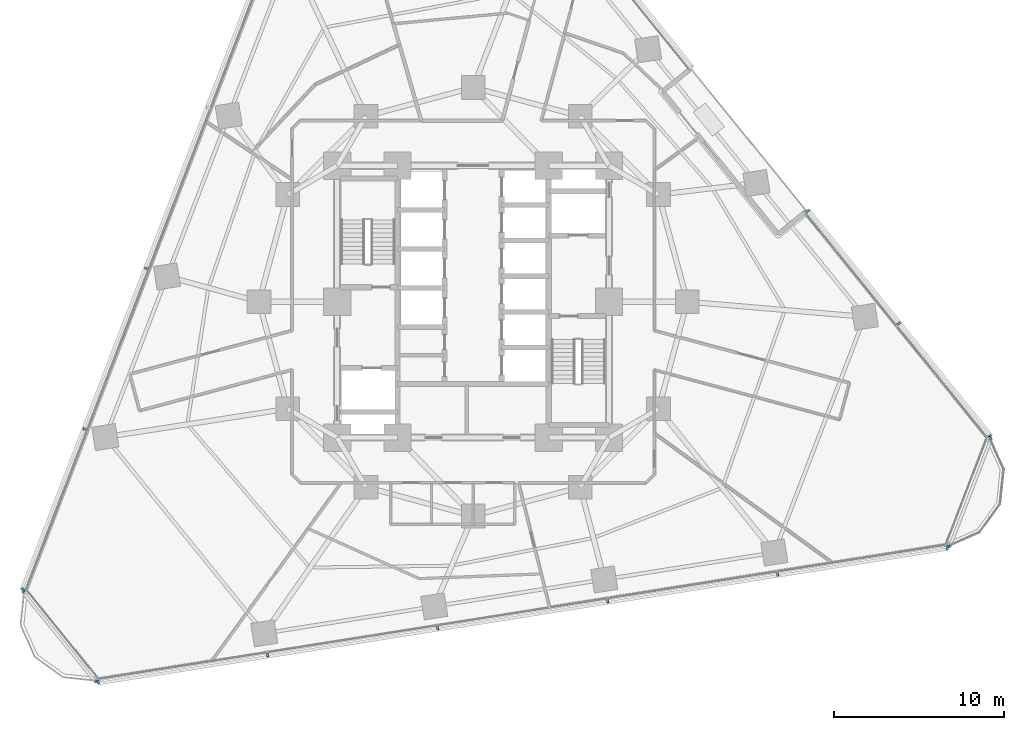
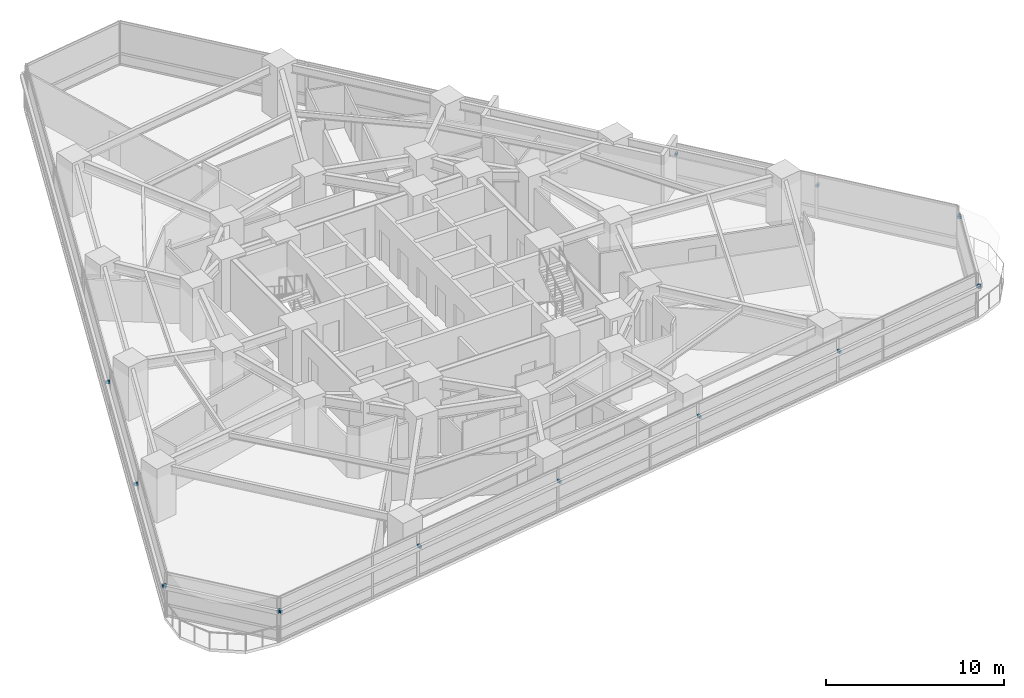
# One storey, part 10 of 14: 16 discrete accessories.
"""IFC4 building model written with IfcOpenShell, lengths in metres."""

from ifc_helpers import new_model, si_unit, direction, frame, origin, origin_2d, place, context, subcontext, project, spatial, rectangle, extrude, material, type_object, element, save


model = new_model("IFC4")

# Units and contexts
model_context = context("Model", 3, precision=1e-05, world=origin(), true_north=direction((0.0, 1.0)))
body_context = subcontext(model_context, "Body", "Model", "MODEL_VIEW")
ifc_project = project(units=[si_unit("LENGTHUNIT", "METRE"), si_unit("AREAUNIT", "SQUARE_METRE"), si_unit("VOLUMEUNIT", "CUBIC_METRE"), si_unit("PLANEANGLEUNIT", "RADIAN"), si_unit("MASSUNIT", "GRAM", prefix="KILO")], contexts=[model_context])

# Site, building, storey
site_placement = place(None, origin())
site = spatial("IfcSite", under=ifc_project, at=site_placement, CompositionType="ELEMENT")
building_placement = place(site_placement, origin())
building = spatial("IfcBuilding", under=site, at=building_placement, Name="Terralouvre Media Tower", CompositionType="ELEMENT")
storey_placement = place(building_placement, frame((0.0, 0.0, 63.0)))
storey = spatial("IfcBuildingStorey", under=building, at=storey_placement, Name="L15", CompositionType="ELEMENT", Elevation=63.0)

# Discrete accessories
ifc_material = material(Name="Anodised extruded aluminium 6063-T6", Category="aluminium")
discrete_accessory_type = type_object("IfcDiscreteAccessoryType", Name="Mullion Stand-Off Baguette Fixing Bracket BK-01", PredefinedType="BRACKET", material=ifc_material)
for number, where, z_axis, x_axis, name in (
    (1, (-22.055419921875, -22.364013671875, 2.07421875), (0.0, 0.0, 1.0), (0.987688340934, 0.156434462903, 0.0), "CW-L15-F0 Baguette Outrigger Bracket 1.01"),
    (2, (-12.08935546875, -20.78564453125, 2.07421875), (0.0, 0.0, 1.0), (0.987688340934, 0.156434462903, 0.0), "CW-L15-F0 Baguette Outrigger Bracket 1.02"),
    (3, (-2.0859375, -19.201171875, 2.07421875), (0.0, 0.0, 1.0), (0.987688340934, 0.156434462903, 0.0), "CW-L15-F0 Baguette Outrigger Bracket 1.03"),
    (4, (7.91748046875, -17.616943359375, 2.07421875), (0.0, 0.0, 1.0), (0.987688340934, 0.156434462903, 0.0), "CW-L15-F0 Baguette Outrigger Bracket 1.04"),
    (5, (17.920654296875, -16.032470703125, 2.07421875), (0.0, 0.0, 1.0), (0.987688340934, 0.156434462903, 0.0), "CW-L15-F0 Baguette Outrigger Bracket 1.05"),
    (6, (27.886962890625, -14.4541015625, 2.07421875), (0.0, 0.0, 1.0), (0.987688340934, 0.156434462903, 0.0), "CW-L15-F0 Baguette Outrigger Bracket 1.06"),
    (7, (30.395751953125, -7.918701171875, 2.07421875), (0.0, 0.0, 1.0), (-0.62932017875, 0.777146133374, 0.0), "CW-L15-F1L Baguette Outrigger Bracket 1.01"),
    (8, (25.0322265625, -1.29541015625, 2.07421875), (0.0, 0.0, 1.0), (-0.62932017875, 0.777146133374, 0.0), "CW-L15-F1L Baguette Outrigger Bracket 1.02"),
    (9, (19.6689453125, 5.327880859375, 2.07421875), (0.0, 0.0, 1.0), (-0.62932017875, 0.777146133374, 0.0), "CW-L15-F1L Baguette Outrigger Bracket 1.03"),
    (10, (-19.21533203125, 1.951904296875, 2.07421875), (0.0, 0.0, 1.0), (-0.358367917006, -0.933580438988, 0.0), "CW-L15-F2 Baguette Outrigger Bracket 1.04"),
    (11, (-22.844970703125, -7.50341796875, 2.07421875), (0.0, 0.0, 1.0), (-0.358367917006, -0.933580438988, 0.0), "CW-L15-F2 Baguette Outrigger Bracket 1.05"),
    (12, (-26.4609375, -16.923828125, 2.07421875), (0.0, 0.0, 1.0), (-0.358367917006, -0.933580438988, 0.0), "CW-L15-F2 Baguette Outrigger Bracket 1.06"),
    (13, (-26.428955078125, -17.014892578125, 2.07421875), (0.0, 0.0, 1.0), (0.629320031936, -0.777146252262, 0.0), "CW-L15-C0 Baguette Outrigger Bracket 1.01"),
    (14, (-22.137939453125, -22.31396484375, 2.07421875), (0.0, 0.0, 1.0), (0.629320031936, -0.777146252262, 0.0), "CW-L15-C0 Baguette Outrigger Bracket 1.02"),
    (15, (27.949951171875, -14.380859375, 2.07421875), (0.0, 0.0, 1.0), (0.358367472863, 0.933580609478, 0.0), "CW-L15-C1 Baguette Outrigger Bracket 1.01"),
    (16, (30.393310546875, -8.01513671875, 2.07421875), (0.0, 0.0, 1.0), (0.358367472863, 0.933580609478, 0.0), "CW-L15-C1 Baguette Outrigger Bracket 1.02"),
):
    element("IfcDiscreteAccessory", number, at=place(storey_placement, frame(where, z_axis=z_axis, x_axis=x_axis)), inside=storey, type_object=discrete_accessory_type, Name=name, PredefinedType="BRACKET", context=body_context, shape_type="SweptSolid", body=[
        extrude(rectangle(XDim=0.139892578125, YDim=0.239990234375, at=origin_2d()), origin(), (0.0, 0.0, 1.0), 0.179931640625),
    ])

save(model, "model.ifc")
